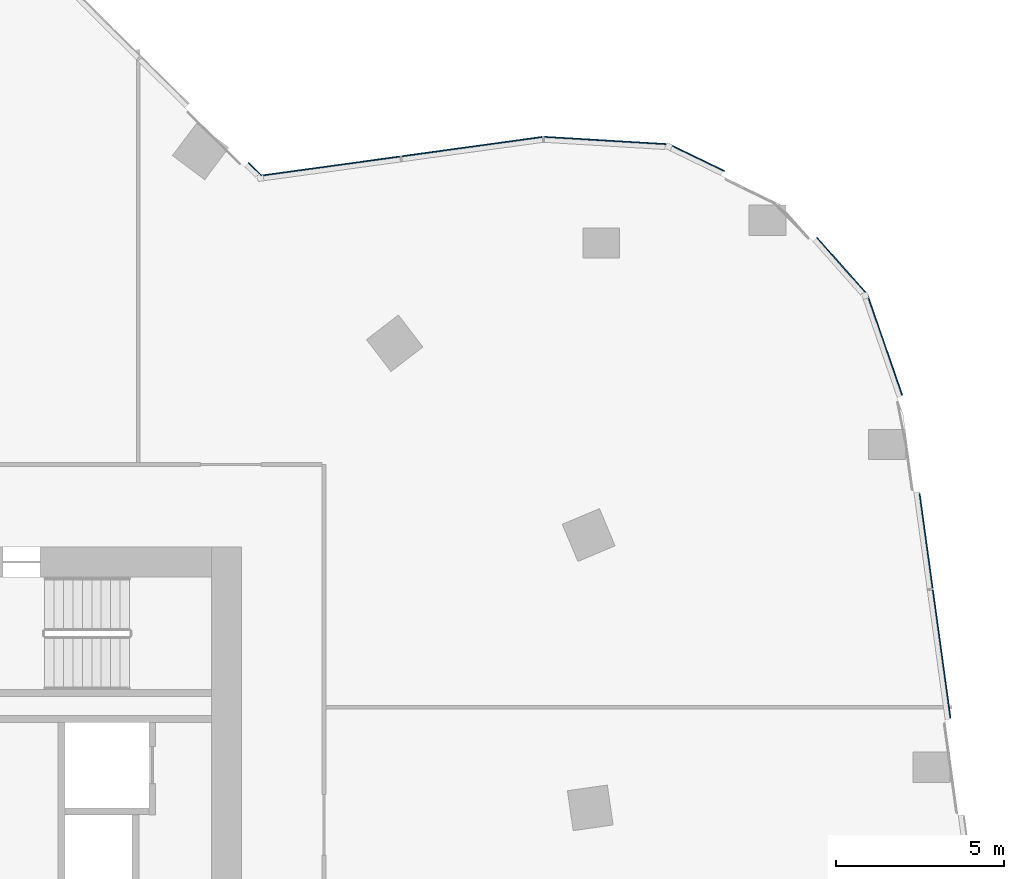
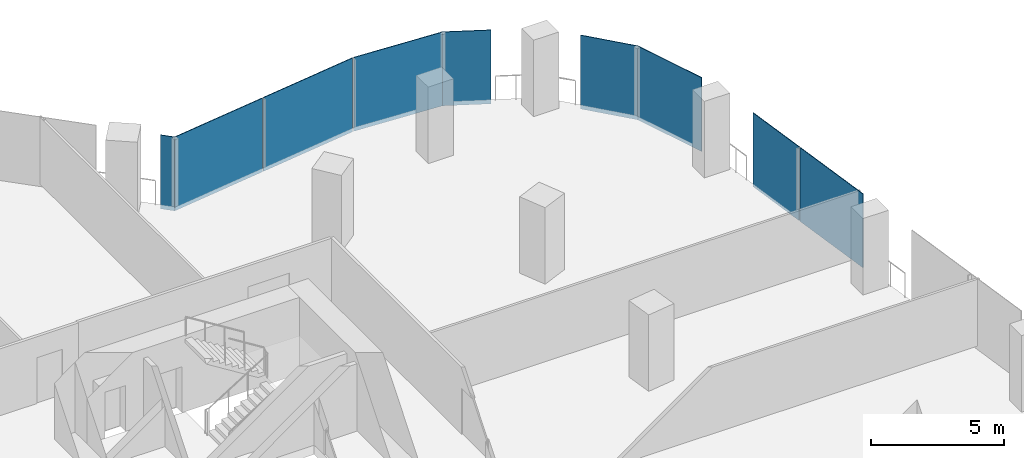
# One storey, part 18 of 29: 9 plates, 7 elements without a shape of their own.
"""IFC4 building model written with IfcOpenShell, lengths in metres."""

from ifc_helpers import new_model, si_unit, direction, frame, origin, origin_2d, place, context, subcontext, project, spatial, rectangle, extrude, material, layer, layer_set, type_object, element, aggregate, save


model = new_model("IFC4")

# Units and contexts
model_context = context("Model", 3, precision=1e-05, world=origin(), true_north=direction((0.0, 1.0)))
body_context = subcontext(model_context, "Body", "Model", "MODEL_VIEW")
ifc_project = project(units=[si_unit("LENGTHUNIT", "METRE"), si_unit("AREAUNIT", "SQUARE_METRE"), si_unit("VOLUMEUNIT", "CUBIC_METRE"), si_unit("PLANEANGLEUNIT", "RADIAN"), si_unit("MASSUNIT", "GRAM", prefix="KILO")], contexts=[model_context])

# Site, building, storey
site_placement = place(None, origin())
site = spatial("IfcSite", under=ifc_project, at=site_placement, CompositionType="ELEMENT")
building_placement = place(site_placement, origin())
building = spatial("IfcBuilding", under=site, at=building_placement, Name="Orlundy Tower", CompositionType="ELEMENT")
storey_placement = place(building_placement, frame((0.0, 0.0, 188.60009765625)))
storey = spatial("IfcBuildingStorey", under=building, at=storey_placement, Name="L49", CompositionType="ELEMENT", Elevation=188.60009765625)

# Curtain wall, plate
ifc_material_1 = material(Name="Aluminium bronze anodised", Category="aluminium")
curtain_wall_type = type_object("IfcCurtainWallType", Name="CW1 wall", PredefinedType="NOTDEFINED", material=ifc_material_1)
curtain_wall_1_placement = place(storey_placement, origin())
curtain_wall_1 = element("IfcCurtainWall", 1, at=curtain_wall_1_placement, inside=storey, type_object=curtain_wall_type, Name="CW1 run 05", PredefinedType="NOTDEFINED")
ifc_material_2 = material(Name="Tinted glass", Category="glass")
ifc_layer = layer(ifc_material_2, 0.031982421875)
ifc_layer_set = layer_set([ifc_layer], Name="CW1 glass panel 32")
plate_type = type_object("IfcPlateType", Name="CW1 glass panel 32", PredefinedType="CURTAIN_PANEL", material=ifc_layer_set)
plate_1_placement = place(storey_placement, frame((19.39697265625, 23.239990234375, -0.300048828125), z_axis=(0.0, 0.0, 1.0), x_axis=(0.711197941896, -0.702991811789, 0.0)))
plate_1 = element("IfcPlate", 2, at=plate_1_placement, type_object=plate_type, Name="CW1 panel", PredefinedType="CURTAIN_PANEL", context=body_context, shape_type="SweptSolid", body=[
    extrude(rectangle(XDim=0.5419921875, YDim=0.031982421875, at=origin_2d()), origin(), (0.0, 0.0, 1.0), 3.3798828125),
])
aggregate(curtain_wall_1, [plate_1])

# Curtain wall, plates
curtain_wall_2_placement = place(storey_placement, origin())
curtain_wall_2 = element("IfcCurtainWall", 3, at=curtain_wall_2_placement, inside=storey, type_object=curtain_wall_type, Name="CW1 run 06", PredefinedType="NOTDEFINED")
plate_2_placement = place(storey_placement, frame((21.650634765625, 23.332763671875, -0.300048828125), z_axis=(0.0, 0.0, 1.0), x_axis=(0.990683386349, 0.136185270904, 0.0)))
plate_2 = element("IfcPlate", 4, at=plate_2_placement, type_object=plate_type, Name="CW1 panel", PredefinedType="CURTAIN_PANEL", context=body_context, shape_type="SweptSolid", body=[
    extrude(rectangle(XDim=4.160400390625, YDim=0.031982421875, at=origin_2d()), origin(), (0.0, 0.0, 1.0), 3.3798828125),
])
plate_3_placement = place(storey_placement, frame((25.857421875, 23.9111328125, -0.300048828125), z_axis=(0.0, 0.0, 1.0), x_axis=(0.990683386349, 0.136185270904, 0.0)))
plate_3 = element("IfcPlate", 5, at=plate_3_placement, type_object=plate_type, Name="CW1 panel", PredefinedType="CURTAIN_PANEL", context=body_context, shape_type="SweptSolid", body=[
    extrude(rectangle(XDim=4.232177734375, YDim=0.031982421875, at=origin_2d()), origin(), (0.0, 0.0, 1.0), 3.3798828125),
])
aggregate(curtain_wall_2, [plate_2, plate_3])

# Curtain wall, plate
curtain_wall_3_placement = place(storey_placement, origin())
curtain_wall_3 = element("IfcCurtainWall", 6, at=curtain_wall_3_placement, inside=storey, type_object=curtain_wall_type, Name="CW1 run 07", PredefinedType="NOTDEFINED")
plate_4_placement = place(storey_placement, frame((29.865478515625, 24.090576171875, -0.300048828125), z_axis=(0.0, 0.0, 1.0), x_axis=(0.998236959791, -0.059354630041, 0.0)))
plate_4 = element("IfcPlate", 7, at=plate_4_placement, type_object=plate_type, Name="CW1 panel", PredefinedType="CURTAIN_PANEL", context=body_context, shape_type="SweptSolid", body=[
    extrude(rectangle(XDim=3.730224609375, YDim=0.031982421875, at=origin_2d()), origin(), (0.0, 0.0, 1.0), 3.3798828125),
])
aggregate(curtain_wall_3, [plate_4])

curtain_wall_4_placement = place(storey_placement, origin())
curtain_wall_4 = element("IfcCurtainWall", 8, at=curtain_wall_4_placement, inside=storey, type_object=curtain_wall_type, Name="CW1 run 08", PredefinedType="NOTDEFINED")
plate_5_placement = place(storey_placement, frame((32.547607421875, 23.5810546875, -0.300048828125), z_axis=(0.0, 0.0, 1.0), x_axis=(0.89933544334, -0.43725937423, 0.0)))
plate_5 = element("IfcPlate", 9, at=plate_5_placement, type_object=plate_type, Name="CW1 panel", PredefinedType="CURTAIN_PANEL", context=body_context, shape_type="SweptSolid", body=[
    extrude(rectangle(XDim=1.823974609375, YDim=0.031982421875, at=origin_2d()), origin(), (0.0, 0.0, 1.0), 3.3798828125),
])
aggregate(curtain_wall_4, [plate_5])

curtain_wall_5_placement = place(storey_placement, origin())
curtain_wall_5 = element("IfcCurtainWall", 10, at=curtain_wall_5_placement, inside=storey, type_object=curtain_wall_type, Name="CW1 run 09", PredefinedType="NOTDEFINED")
plate_6_placement = place(storey_placement, frame((36.871337890625, 20.35693359375, -0.300048828125), z_axis=(0.0, 0.0, 1.0), x_axis=(0.663760711342, -0.747944996694, 0.0)))
plate_6 = element("IfcPlate", 11, at=plate_6_placement, type_object=plate_type, Name="CW1 panel", PredefinedType="CURTAIN_PANEL", context=body_context, shape_type="SweptSolid", body=[
    extrude(rectangle(XDim=2.26611328125, YDim=0.031982421875, at=origin_2d()), origin(), (0.0, 0.0, 1.0), 3.3798828125),
])
aggregate(curtain_wall_5, [plate_6])

curtain_wall_6_placement = place(storey_placement, origin())
curtain_wall_6 = element("IfcCurtainWall", 12, at=curtain_wall_6_placement, inside=storey, type_object=curtain_wall_type, Name="CW1 run 010", PredefinedType="NOTDEFINED")
plate_7_placement = place(storey_placement, frame((38.140625, 18.014404296875, -0.300048828125), z_axis=(0.0, 0.0, 1.0), x_axis=(0.32697157273, -0.945034174317, 0.0)))
plate_7 = element("IfcPlate", 13, at=plate_7_placement, type_object=plate_type, Name="CW1 panel", PredefinedType="CURTAIN_PANEL", context=body_context, shape_type="SweptSolid", body=[
    extrude(rectangle(XDim=3.164306640625, YDim=0.031982421875, at=origin_2d()), origin(), (0.0, 0.0, 1.0), 3.3798828125),
])
aggregate(curtain_wall_6, [plate_7])

# Curtain wall, plates
curtain_wall_7_placement = place(storey_placement, origin())
curtain_wall_7 = element("IfcCurtainWall", 14, at=curtain_wall_7_placement, inside=storey, type_object=curtain_wall_type, Name="CW1 run 011", PredefinedType="NOTDEFINED")
plate_8_placement = place(storey_placement, frame((39.372314453125, 12.17236328125, -0.300048828125), z_axis=(0.0, 0.0, 1.0), x_axis=(0.13628610677, -0.990669519619, 0.0)))
plate_8 = element("IfcPlate", 15, at=plate_8_placement, type_object=plate_type, Name="CW1 panel", PredefinedType="CURTAIN_PANEL", context=body_context, shape_type="SweptSolid", body=[
    extrude(rectangle(XDim=2.835205078125, YDim=0.031982421875, at=origin_2d()), origin(), (0.0, 0.0, 1.0), 3.3798828125),
])
plate_9_placement = place(storey_placement, frame((39.833984375, 8.816162109375, -0.300048828125), z_axis=(0.0, 0.0, 1.0), x_axis=(0.13628610677, -0.990669519619, 0.0)))
plate_9 = element("IfcPlate", 16, at=plate_9_placement, type_object=plate_type, Name="CW1 panel", PredefinedType="CURTAIN_PANEL", context=body_context, shape_type="SweptSolid", body=[
    extrude(rectangle(XDim=3.840576171875, YDim=0.031982421875, at=origin_2d()), origin(), (0.0, 0.0, 1.0), 3.3798828125),
])
aggregate(curtain_wall_7, [plate_8, plate_9])

save(model, "model.ifc")
